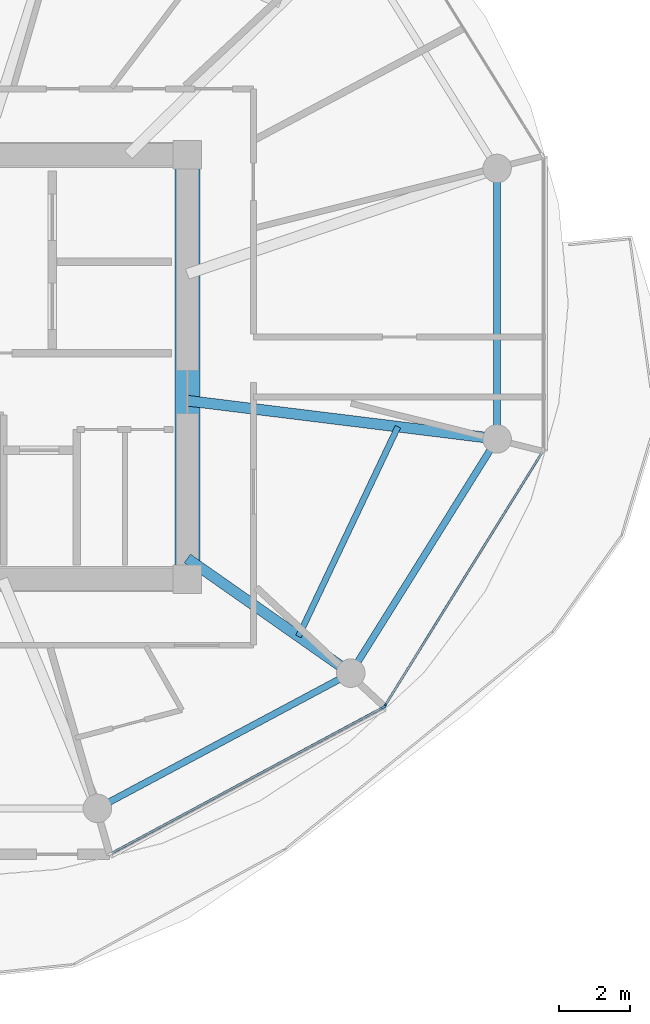
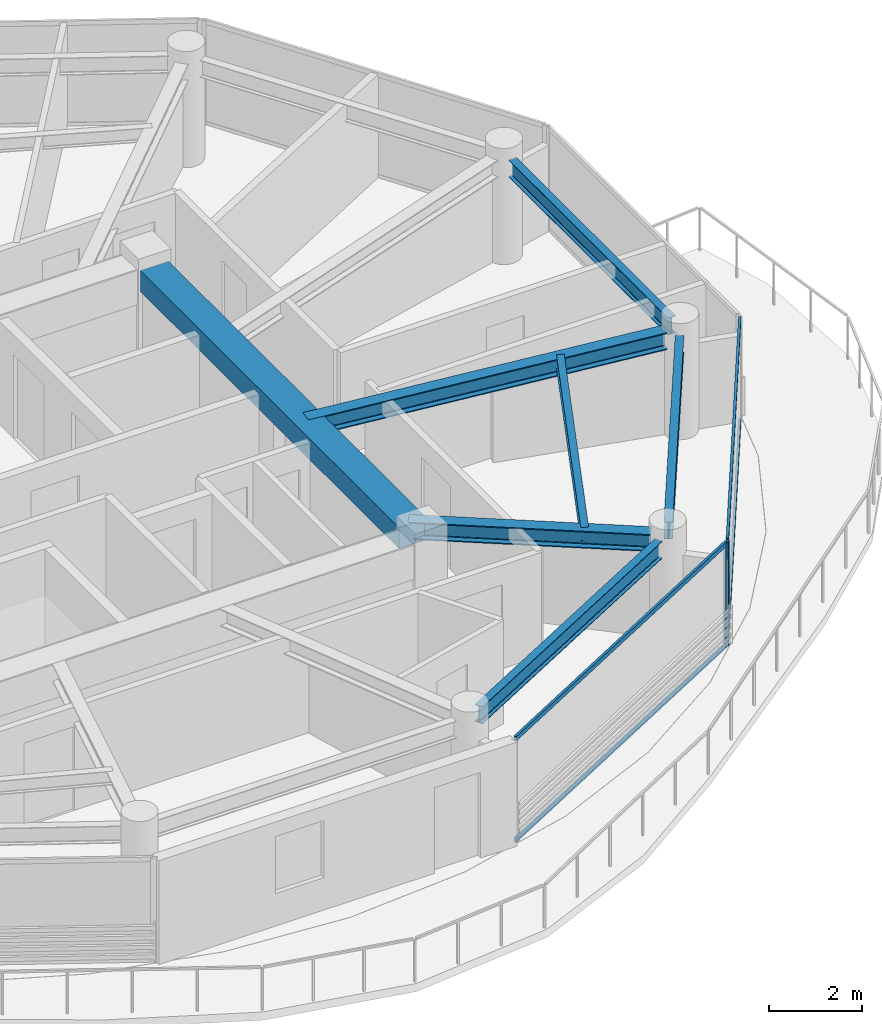
# One storey, part 3 of 22: 7 beams, 6 members, 2 elements without a shape of their own.
"""IFC4 building model written with IfcOpenShell, lengths in metres."""

from ifc_helpers import new_model, si_unit, direction, frame, origin, origin_2d, place, context, subcontext, project, spatial, rectangle, i_section, extrude, source, transform, mapped, material, layer, layer_set, material_profile, profile_set, type_object, type_shapes, element, aggregate, save


model = new_model("IFC4")

# Units and contexts
model_context = context("Model", 3, precision=1e-05, world=origin(), true_north=direction((0.0, 1.0)))
body_context = subcontext(model_context, "Body", "Model", "MODEL_VIEW")
ifc_project = project(units=[si_unit("LENGTHUNIT", "METRE"), si_unit("AREAUNIT", "SQUARE_METRE"), si_unit("VOLUMEUNIT", "CUBIC_METRE"), si_unit("PLANEANGLEUNIT", "RADIAN"), si_unit("MASSUNIT", "GRAM", prefix="KILO")], contexts=[model_context])

# Site, building, storey
site_placement = place(None, origin())
site = spatial("IfcSite", under=ifc_project, at=site_placement, CompositionType="ELEMENT")
building_placement = place(site_placement, origin())
building = spatial("IfcBuilding", under=site, at=building_placement, Name="Norrkilde Senior Care Towers", CompositionType="ELEMENT")
storey_placement = place(building_placement, frame((0.0, 0.0, 183.10009765625)))
storey = spatial("IfcBuildingStorey", under=building, at=storey_placement, Name="L57", CompositionType="ELEMENT", Elevation=183.10009765625)

# Beams
ifc_material_1 = material(Name="Concrete C60/75", Category="concrete")
ifc_material_profile_1 = material_profile(ifc_material_1, rectangle(XDim=0.699951171875, YDim=0.550048828125, at=origin_2d()), Name="RC BM 700x550")
ifc_profile_set_1 = profile_set([ifc_material_profile_1], Name="Concrete C60/75")
beam_type_1 = type_object("IfcBeamType", Name="Core Portal Coupling Beam 700x550", PredefinedType="USERDEFINED", material=ifc_profile_set_1)
shared_shape_1 = source(origin(), body_context, "Body", "SweptSolid", [
    extrude(rectangle(XDim=0.699951171875, YDim=0.550048828125, at=origin_2d()), origin(), (0.0, 0.0, 1.0), 11.14013671875),
])
type_shapes(beam_type_1, [shared_shape_1])
beam_1_placement = place(storey_placement, frame((-20.35009765625, -5.570068359375, 2.454833984375), z_axis=(0.0, 1.0, 0.0), x_axis=(-1.0, 0.0, 0.0)))
element("IfcBeam", 1, at=beam_1_placement, inside=storey, type_object=beam_type_1, Name="L57 Core W E Coupling Girder", ObjectType="GIRDER", PredefinedType="USERDEFINED", context=body_context, shape_type="MappedRepresentation", body=[
    mapped(shared_shape_1, transform((0.0, 0.0, 0.0), x_axis=(1.0, 0.0, 0.0), y_axis=(0.0, 1.0, 0.0), z_axis=(0.0, 0.0, 1.0), scale=1.0)),
])
ifc_material_2 = material(Name="Steel S355", Category="steel")
ifc_material_profile_2 = material_profile(ifc_material_2, i_section(OverallWidth=0.18994140625, OverallDepth=0.449951171875, WebThickness=0.009521484375, FlangeThickness=0.0146484375, FilletRadius=0.02099609375, at=origin_2d()), Name="IPE 450")
ifc_profile_set_2 = profile_set([ifc_material_profile_2], Name="Steel S355")
beam_type_2 = type_object("IfcBeamType", Name="Perimeter Ring Spandrel Z3 IPE450", PredefinedType="SPANDREL", material=ifc_profile_set_2)
shared_shape_2 = source(origin(), body_context, "Body", "SweptSolid", [
    extrude(i_section(OverallWidth=0.18994140625, OverallDepth=0.449951171875, WebThickness=0.009521484375, FlangeThickness=0.0146484375, FilletRadius=0.02099609375, at=origin_2d()), origin(), (0.0, 0.0, 1.0), 6.86328125),
])
beam_2_placement = place(storey_placement, frame((-11.6650390625, -1.65625, 2.5048828125), z_axis=(0.0, 1.0, 0.0), x_axis=(-1.0, 0.0, 0.0)))
element("IfcBeam", 2, at=beam_2_placement, inside=storey, type_object=beam_type_2, Name="L57 Drum W Perimeter Spandrel 12", PredefinedType="SPANDREL", context=body_context, shape_type="MappedRepresentation", body=[
    mapped(shared_shape_2, transform((0.0, 0.0, 0.0), x_axis=(1.0, 0.0, 0.0), y_axis=(0.0, 1.0, 0.0), z_axis=(0.0, 0.0, 1.0), scale=1.0)),
])
shared_shape_3 = source(origin(), body_context, "Body", "SweptSolid", [
    extrude(i_section(OverallWidth=0.18994140625, OverallDepth=0.449951171875, WebThickness=0.009521484375, FlangeThickness=0.0146484375, FilletRadius=0.02099609375, at=origin_2d()), origin(), (0.0, 0.0, 1.0), 7.023193359375),
])
beam_3_placement = place(storey_placement, frame((-15.57666015625, -8.2783203125, 2.5048828125), z_axis=(0.529805197269, 0.848119362441, 0.0), x_axis=(-0.848119362441, 0.529805197269, 0.0)))
element("IfcBeam", 3, at=beam_3_placement, inside=storey, type_object=beam_type_2, Name="L57 Drum W Perimeter Spandrel 11", PredefinedType="SPANDREL", context=body_context, shape_type="MappedRepresentation", body=[
    mapped(shared_shape_3, transform((0.0, 0.0, 0.0), x_axis=(1.0, 0.0, 0.0), y_axis=(0.0, 1.0, 0.0), z_axis=(0.0, 0.0, 1.0), scale=1.0)),
])
shared_shape_4 = source(origin(), body_context, "Body", "SweptSolid", [
    extrude(i_section(OverallWidth=0.18994140625, OverallDepth=0.449951171875, WebThickness=0.009521484375, FlangeThickness=0.0146484375, FilletRadius=0.02099609375, at=origin_2d()), origin(), (0.0, 0.0, 1.0), 7.333984375),
])
type_shapes(beam_type_2, [shared_shape_2, shared_shape_3, shared_shape_4])
beam_4_placement = place(storey_placement, frame((-22.55517578125, -12.2060546875, 2.5048828125), z_axis=(0.882234038987, 0.470811109101, 0.0), x_axis=(-0.470811109101, 0.882234038987, 0.0)))
element("IfcBeam", 4, at=beam_4_placement, inside=storey, type_object=beam_type_2, Name="L57 Drum W Perimeter Spandrel 10", PredefinedType="SPANDREL", context=body_context, shape_type="MappedRepresentation", body=[
    mapped(shared_shape_4, transform((0.0, 0.0, 0.0), x_axis=(1.0, 0.0, 0.0), y_axis=(0.0, 1.0, 0.0), z_axis=(0.0, 0.0, 1.0), scale=1.0)),
])
ifc_material_profile_3 = material_profile(ifc_material_2, i_section(OverallWidth=0.300048828125, OverallDepth=0.449951171875, WebThickness=0.013916015625, FlangeThickness=0.02587890625, FilletRadius=0.027099609375, at=origin_2d()), Name="HEB 450")
ifc_profile_set_3 = profile_set([ifc_material_profile_3], Name="Steel S355")
beam_type_3 = type_object("IfcBeamType", Name="Radial Floor Beam Z3 HEB450", PredefinedType="BEAM", material=ifc_profile_set_3)
shared_shape_5 = source(origin(), body_context, "Body", "SweptSolid", [
    extrude(i_section(OverallWidth=0.300048828125, OverallDepth=0.449951171875, WebThickness=0.013916015625, FlangeThickness=0.02587890625, FilletRadius=0.027099609375, at=origin_2d()), origin(), (0.0, 0.0, 1.0), 5.23828125),
])
beam_5_placement = place(storey_placement, frame((-20.35009765625, -5.3681640625, 2.5048828125), z_axis=(0.818592061291, -0.574375345215, 0.0), x_axis=(0.574375345215, 0.818592061291, 0.0)))
element("IfcBeam", 5, at=beam_5_placement, inside=storey, type_object=beam_type_3, Name="L57 Drum W Radial Floor Beam 11", PredefinedType="BEAM", context=body_context, shape_type="MappedRepresentation", body=[
    mapped(shared_shape_5, transform((0.0, 0.0, 0.0), x_axis=(1.0, 0.0, 0.0), y_axis=(0.0, 1.0, 0.0), z_axis=(0.0, 0.0, 1.0), scale=1.0)),
])
shared_shape_6 = source(origin(), body_context, "Body", "SweptSolid", [
    extrude(i_section(OverallWidth=0.300048828125, OverallDepth=0.449951171875, WebThickness=0.013916015625, FlangeThickness=0.02587890625, FilletRadius=0.027099609375, at=origin_2d()), origin(), (0.0, 0.0, 1.0), 8.390869140625),
])
type_shapes(beam_type_3, [shared_shape_5, shared_shape_6])
beam_6_placement = place(storey_placement, frame((-20.35009765625, -0.9443359375, 2.5048828125), z_axis=(0.99246916403, -0.122494728249, 0.0), x_axis=(0.122494728249, 0.99246916403, 0.0)))
element("IfcBeam", 6, at=beam_6_placement, inside=storey, type_object=beam_type_3, Name="L57 Drum W Radial Floor Beam 12", PredefinedType="BEAM", context=body_context, shape_type="MappedRepresentation", body=[
    mapped(shared_shape_6, transform((0.0, 0.0, 0.0), x_axis=(1.0, 0.0, 0.0), y_axis=(0.0, 1.0, 0.0), z_axis=(0.0, 0.0, 1.0), scale=1.0)),
])
ifc_material_profile_4 = material_profile(ifc_material_2, i_section(OverallWidth=0.169921875, OverallDepth=0.360107421875, WebThickness=0.008056640625, FlangeThickness=0.0126953125, FilletRadius=0.01806640625, at=origin_2d()), Name="IPE 360")
ifc_profile_set_4 = profile_set([ifc_material_profile_4], Name="Steel S355")
beam_type_4 = type_object("IfcBeamType", Name="Secondary Floor Joist IPE360", PredefinedType="JOIST", material=ifc_profile_set_4)
shared_shape_7 = source(origin(), body_context, "Body", "SweptSolid", [
    extrude(i_section(OverallWidth=0.169921875, OverallDepth=0.360107421875, WebThickness=0.008056640625, FlangeThickness=0.0126953125, FilletRadius=0.01806640625, at=origin_2d()), origin(), (0.0, 0.0, 1.0), 6.50927734375),
])
type_shapes(beam_type_4, [shared_shape_7])
beam_7_placement = place(storey_placement, frame((-17.23388671875, -7.5546875, 2.5498046875), z_axis=(0.428544169129, 0.90352083269, 0.0), x_axis=(-0.90352083269, 0.428544169129, 0.0)))
element("IfcBeam", 7, at=beam_7_placement, inside=storey, type_object=beam_type_4, Name="L57 Drum W Secondary Floor Joist 4", PredefinedType="JOIST", context=body_context, shape_type="MappedRepresentation", body=[
    mapped(shared_shape_7, transform((0.0, 0.0, 0.0), x_axis=(1.0, 0.0, 0.0), y_axis=(0.0, 1.0, 0.0), z_axis=(0.0, 0.0, 1.0), scale=1.0)),
])

# Curtain wall, members
ifc_material_3 = material(Name="Triple Low-E Insulated Glazing", Category="glass")
ifc_layer = layer(ifc_material_3, 0.18994140625)
ifc_layer_set = layer_set([ifc_layer], Name="Triple Low-E Insulated Glazing")
curtain_wall_type = type_object("IfcCurtainWallType", Name="CW4 Zone 3 Senior Residence Curtain Wall", PredefinedType="NOTDEFINED", material=ifc_layer_set)
curtain_wall_1_placement = place(storey_placement, origin())
curtain_wall_1 = element("IfcCurtainWall", 8, at=curtain_wall_1_placement, inside=storey, type_object=curtain_wall_type, Name="L57 Drum W Curtain Wall 10", PredefinedType="NOTDEFINED")
ifc_material_4 = material(Name="Anodised Aluminium", Category="aluminium")
ifc_material_profile_5 = material_profile(ifc_material_4, rectangle(XDim=0.06005859375, YDim=0.1201171875, at=origin_2d()), Name="ALU TRAN 60x120")
ifc_profile_set_5 = profile_set([ifc_material_profile_5], Name="Anodised Aluminium")
member_type_1 = type_object("IfcMemberType", Name="Curtain Wall Transom Typical 60x120", PredefinedType="USERDEFINED", material=ifc_profile_set_5)
shared_shape_8 = source(origin(), body_context, "Body", "SweptSolid", [
    extrude(rectangle(XDim=0.06005859375, YDim=0.1201171875, at=origin_2d()), origin(), (0.0, 0.0, 1.0), 8.301513671875),
])
member_1_placement = place(storey_placement, frame((-10.414794921875, -2.415771484375, 0.02978515625), z_axis=(-0.527368718394, -0.849636531029, 0.0), x_axis=(0.849636531029, -0.527368718394, 0.0)))
member_1 = element("IfcMember", 9, at=member_1_placement, type_object=member_type_1, Name="CW-4 transom 1.1", ObjectType="TRANSOM", PredefinedType="USERDEFINED", context=body_context, shape_type="MappedRepresentation", body=[
    mapped(shared_shape_8, transform((0.0, 0.0, 0.0), x_axis=(1.0, 0.0, 0.0), y_axis=(0.0, 1.0, 0.0), z_axis=(0.0, 0.0, 1.0), scale=1.0)),
])
member_2_placement = place(storey_placement, frame((-10.414794921875, -2.415771484375, 2.699951171875), z_axis=(-0.527368718394, -0.849636531029, 0.0), x_axis=(0.849636531029, -0.527368718394, 0.0)))
member_2 = element("IfcMember", 10, at=member_2_placement, type_object=member_type_1, Name="CW-4 transom 1.2", ObjectType="TRANSOM", PredefinedType="USERDEFINED", context=body_context, shape_type="MappedRepresentation", body=[
    mapped(shared_shape_8, transform((0.0, 0.0, 0.0), x_axis=(1.0, 0.0, 0.0), y_axis=(0.0, 1.0, 0.0), z_axis=(0.0, 0.0, 1.0), scale=1.0)),
])

curtain_wall_2_placement = place(storey_placement, origin())
curtain_wall_2 = element("IfcCurtainWall", 11, at=curtain_wall_2_placement, inside=storey, type_object=curtain_wall_type, Name="L57 Drum W Curtain Wall 09", PredefinedType="NOTDEFINED")
shared_shape_9 = source(origin(), body_context, "Body", "SweptSolid", [
    extrude(rectangle(XDim=0.06005859375, YDim=0.1201171875, at=origin_2d()), origin(), (0.0, 0.0, 1.0), 8.61181640625),
])
type_shapes(member_type_1, [shared_shape_8, shared_shape_9])
member_3_placement = place(storey_placement, frame((-14.88427734375, -9.554931640625, 0.02978515625), z_axis=(-0.880993991641, -0.473127452906, 0.0), x_axis=(0.473127452906, -0.880993991641, 0.0)))
member_3 = element("IfcMember", 12, at=member_3_placement, type_object=member_type_1, Name="CW-4 transom 1.1", ObjectType="TRANSOM", PredefinedType="USERDEFINED", context=body_context, shape_type="MappedRepresentation", body=[
    mapped(shared_shape_9, transform((0.0, 0.0, 0.0), x_axis=(1.0, 0.0, 0.0), y_axis=(0.0, 1.0, 0.0), z_axis=(0.0, 0.0, 1.0), scale=1.0)),
])
member_4_placement = place(storey_placement, frame((-14.88427734375, -9.554931640625, 2.699951171875), z_axis=(-0.880993991641, -0.473127452906, 0.0), x_axis=(0.473127452906, -0.880993991641, 0.0)))
member_4 = element("IfcMember", 13, at=member_4_placement, type_object=member_type_1, Name="CW-4 transom 1.2", ObjectType="TRANSOM", PredefinedType="USERDEFINED", context=body_context, shape_type="MappedRepresentation", body=[
    mapped(shared_shape_9, transform((0.0, 0.0, 0.0), x_axis=(1.0, 0.0, 0.0), y_axis=(0.0, 1.0, 0.0), z_axis=(0.0, 0.0, 1.0), scale=1.0)),
])
ifc_material_profile_6 = material_profile(ifc_material_4, rectangle(XDim=0.06494140625, YDim=0.14990234375, at=origin_2d()), Name="ALU MULL 65x150")
ifc_profile_set_6 = profile_set([ifc_material_profile_6], Name="Anodised Aluminium")
member_type_2 = type_object("IfcMemberType", Name="Curtain Wall Mullion Z3-Z4 65x150", PredefinedType="MULLION", material=ifc_profile_set_6)
shared_shape_10 = source(origin(), body_context, "Body", "SweptSolid", [
    extrude(rectangle(XDim=0.06494140625, YDim=0.14990234375, at=origin_2d()), origin(), (0.0, 0.0, 1.0), 2.72998046875),
])
type_shapes(member_type_2, [shared_shape_10])
member_5_placement = place(storey_placement, frame((-14.85546875, -9.53955078125, 0.0), z_axis=(0.0, 0.0, 1.0), x_axis=(0.47311715104, -0.880999524059, 0.0)))
member_5 = element("IfcMember", 14, at=member_5_placement, type_object=member_type_2, Name="CW-4 mullion 1", PredefinedType="MULLION", context=body_context, shape_type="MappedRepresentation", body=[
    mapped(shared_shape_10, transform((0.0, 0.0, 0.0), x_axis=(1.0, 0.0, 0.0), y_axis=(0.0, 1.0, 0.0), z_axis=(0.0, 0.0, 1.0), scale=1.0)),
])
aggregate(curtain_wall_2, [member_5, member_3, member_4])

# Member
member_6_placement = place(storey_placement, frame((-14.809814453125, -9.49658203125, 0.0), z_axis=(0.0, 0.0, 1.0), x_axis=(0.84963405474, -0.52737270789, 0.0)))
member_6 = element("IfcMember", 15, at=member_6_placement, type_object=member_type_2, Name="CW-4 mullion 2", PredefinedType="MULLION", context=body_context, shape_type="MappedRepresentation", body=[
    mapped(shared_shape_10, transform((0.0, 0.0, 0.0), x_axis=(1.0, 0.0, 0.0), y_axis=(0.0, 1.0, 0.0), z_axis=(0.0, 0.0, 1.0), scale=1.0)),
])

aggregate(curtain_wall_1, [member_6, member_1, member_2])

save(model, "model.ifc")
